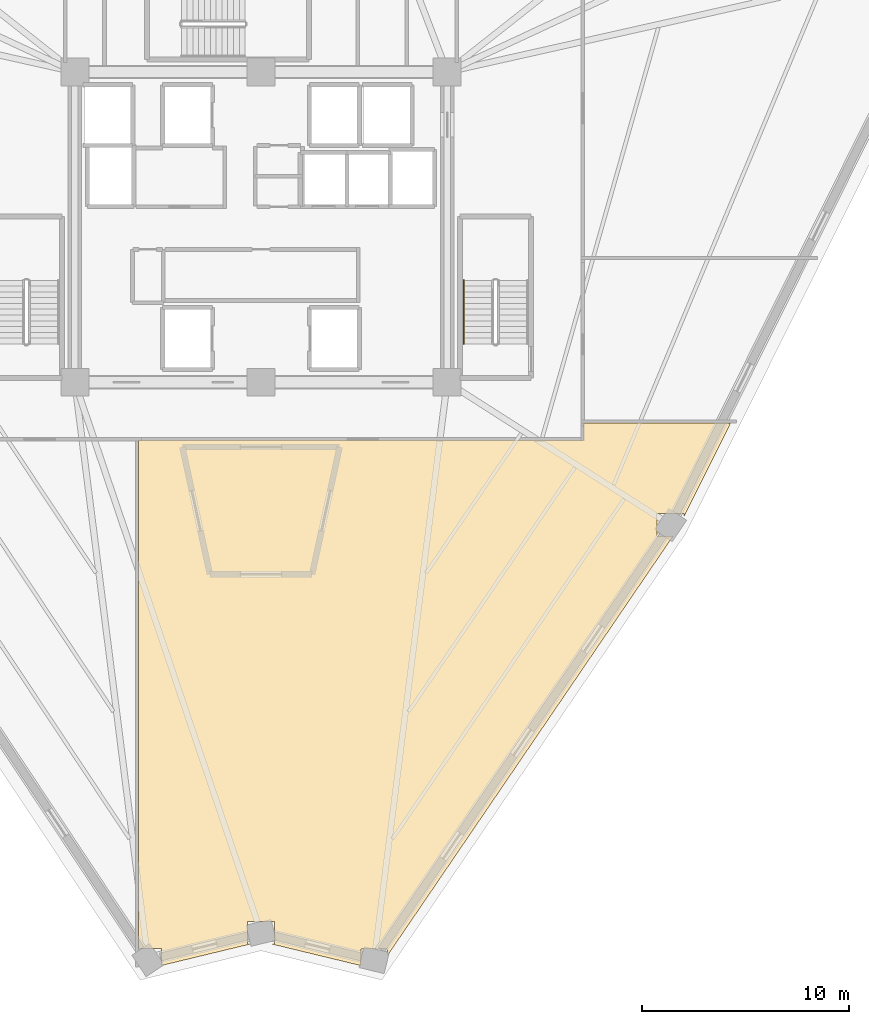
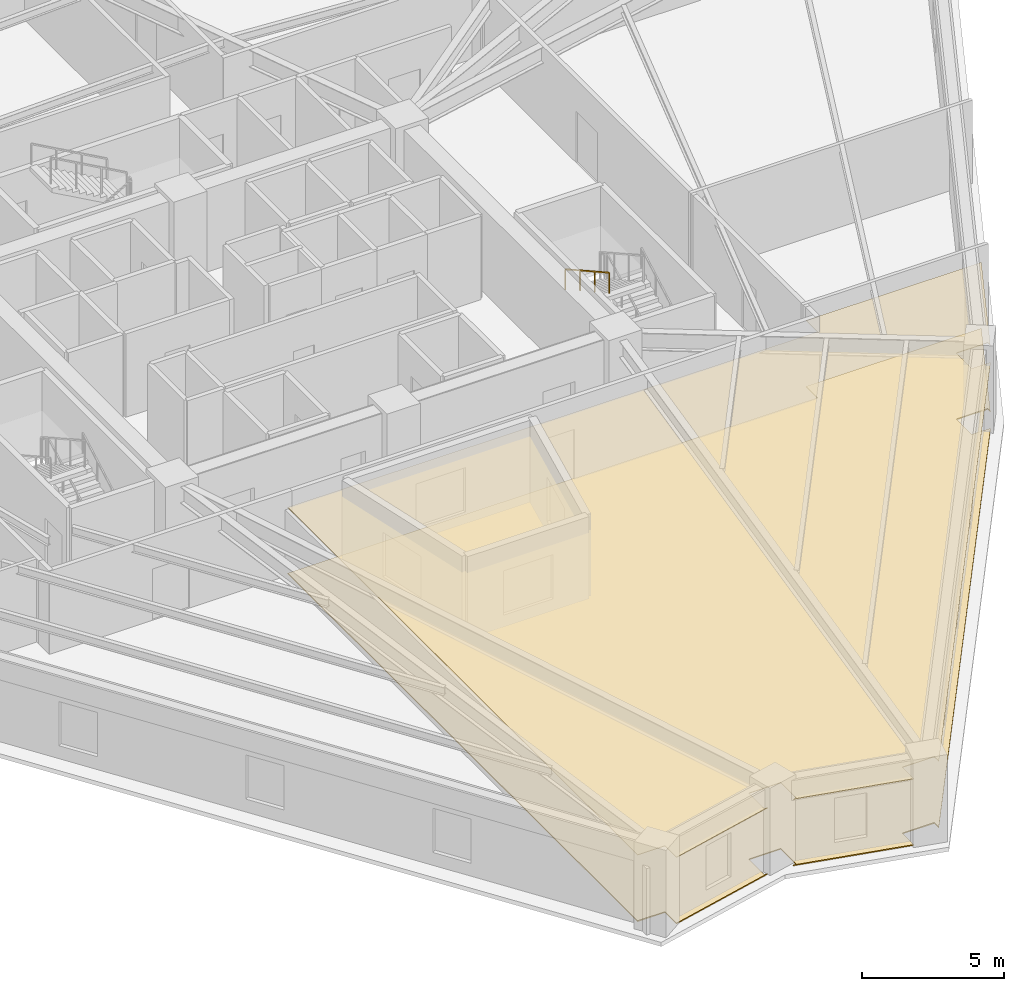
# One storey, part 9 of 10: 2 coverings, 1 railing.
"""IFC4 building model written with IfcOpenShell, lengths in metres."""

from ifc_helpers import new_model, si_unit, direction, frame, origin, origin_2d, place, context, subcontext, project, spatial, polyline, rectangle, outline, extrude, material, layer, layer_set, type_object, element, save


model = new_model("IFC4")

# Units and contexts
model_context = context("Model", 3, precision=1e-05, world=origin(), true_north=direction((0.0, 1.0)))
body_context = subcontext(model_context, "Body", "Model", "MODEL_VIEW")
ifc_project = project(units=[si_unit("LENGTHUNIT", "METRE"), si_unit("AREAUNIT", "SQUARE_METRE"), si_unit("VOLUMEUNIT", "CUBIC_METRE"), si_unit("PLANEANGLEUNIT", "RADIAN"), si_unit("MASSUNIT", "GRAM", prefix="KILO")], contexts=[model_context])

# Site, building, storey
site_placement = place(None, origin())
site = spatial("IfcSite", under=ifc_project, at=site_placement, CompositionType="ELEMENT")
building_placement = place(site_placement, origin())
building = spatial("IfcBuilding", under=site, at=building_placement, Name="Liaohun Quay Tower", CompositionType="ELEMENT")
storey_placement = place(building_placement, frame((0.0, 0.0, 216.75)))
storey = spatial("IfcBuildingStorey", under=building, at=storey_placement, Name="L56", CompositionType="ELEMENT", Elevation=216.75)

# Coverings
ifc_material_1 = material(Name="Mineral-fibre acoustic ceiling tile")
ifc_layer_1 = layer(ifc_material_1, 0.02490234375, Name="Mineral-fibre acoustic ceiling tile")
ifc_layer_set_1 = layer_set([ifc_layer_1], Name="Mineral-fibre acoustic ceiling tile")
covering_type_1 = type_object("IfcCoveringType", Name="COV-CEIL-ACT", PredefinedType="CEILING", material=ifc_layer_set_1)
covering_1_placement = place(storey_placement, frame((0.0, 0.0, 2.85009765625)))
element("IfcCovering", 1, at=covering_1_placement, inside=storey, type_object=covering_type_1, Name="L56 Staff Daycare Nursery 07 Acoustic Ceiling", PredefinedType="CEILING", context=body_context, shape_type="SweptSolid", body=[
    extrude(outline(polyline([(75.580078125, 43.719970703125), (54.074951171875, 43.719970703125), (54.074951171875, 19.114990234375), (55.18310546875, 19.114990234375), (55.18310546875, 18.303955078125), (59.488037109375, 19.343994140625), (59.35498046875, 19.343994140625), (59.35498046875, 20.43408203125), (60.64501953125, 20.43408203125), (60.64501953125, 19.343994140625), (60.511962890625, 19.343994140625), (64.823974609375, 18.302001953125), (64.823974609375, 19.113037109375), (66.114013671875, 19.113037109375), (66.114013671875, 18.787109375), (79.9189453125, 39.06005859375), (79.14990234375, 39.06005859375), (79.14990234375, 40.14990234375), (80.43994140625, 40.14990234375), (80.43994140625, 39.98193359375), (82.699951171875, 44.52490234375), (75.580078125, 44.52490234375), (75.580078125, 43.719970703125)])), origin(), (0.0, 0.0, 1.0), 0.02490234375),
])
ifc_material_2 = material(Name="Calcium-sulphate raised access floor tile")
ifc_layer_2 = layer(ifc_material_2, 0.044921875, Name="Calcium-sulphate raised access floor tile")
ifc_layer_set_2 = layer_set([ifc_layer_2], Name="Calcium-sulphate raised access floor tile")
covering_type_2 = type_object("IfcCoveringType", Name="COV-FLR-RAF", PredefinedType="FLOORING", material=ifc_layer_set_2)
covering_2_placement = place(storey_placement, origin())
element("IfcCovering", 2, at=covering_2_placement, inside=storey, type_object=covering_type_2, Name="L56 Staff Daycare Nursery 07 Floor Finish", PredefinedType="FLOORING", context=body_context, shape_type="SweptSolid", body=[
    extrude(outline(polyline([(75.580078125, 43.719970703125), (54.074951171875, 43.719970703125), (54.074951171875, 19.114990234375), (55.18310546875, 19.114990234375), (55.18310546875, 18.303955078125), (59.488037109375, 19.343994140625), (59.35498046875, 19.343994140625), (59.35498046875, 20.43408203125), (60.64501953125, 20.43408203125), (60.64501953125, 19.343994140625), (60.511962890625, 19.343994140625), (64.823974609375, 18.302001953125), (64.823974609375, 19.113037109375), (66.114013671875, 19.113037109375), (66.114013671875, 18.787109375), (79.9189453125, 39.06005859375), (79.14990234375, 39.06005859375), (79.14990234375, 40.14990234375), (80.43994140625, 40.14990234375), (80.43994140625, 39.98193359375), (82.699951171875, 44.52490234375), (75.580078125, 44.52490234375), (75.580078125, 43.719970703125)])), origin(), (0.0, 0.0, 1.0), 0.044921875),
])

# Railing
ifc_material_3 = material(Name="Brushed stainless steel", Category="steel")
railing_type = type_object("IfcRailingType", Name="RLG-HND-STR", PredefinedType="HANDRAIL", material=ifc_material_3)
railing_placement = place(storey_placement, frame((69.800048828125, 51.429931640625, 2.03125)))
element("IfcRailing", 3, at=railing_placement, inside=storey, type_object=railing_type, Name="L56 ST-2 stair handrail 2", PredefinedType="HANDRAIL", context=body_context, shape_type="SweptSolid", body=[
    extrude(rectangle(XDim=0.048095703125, YDim=0.048095703125, at=origin_2d()), frame((0.0, 0.0, 0.8759765625), z_axis=(0.0, -0.873225103656, 0.487317061414), x_axis=(1.0, 0.0, 0.0)), (0.0, 0.0, 1.0), 3.52685546875),
    extrude(rectangle(XDim=0.0419921875, YDim=0.0419921875, at=origin_2d()), origin(), (0.0, 0.0, 1.0), 0.851806640625),
    extrude(rectangle(XDim=0.0419921875, YDim=0.0419921875, at=origin_2d()), frame((0.0, -1.026611328125, 0.572998046875)), (0.0, 0.0, 1.0), 0.851806640625),
    extrude(rectangle(XDim=0.0419921875, YDim=0.0419921875, at=origin_2d()), frame((0.0, -2.05322265625, 1.145751953125)), (0.0, 0.0, 1.0), 0.851806640625),
    extrude(rectangle(XDim=0.0419921875, YDim=0.0419921875, at=origin_2d()), frame((0.0, -3.079833984375, 1.71875)), (0.0, 0.0, 1.0), 0.851806640625),
])

save(model, "model.ifc")
